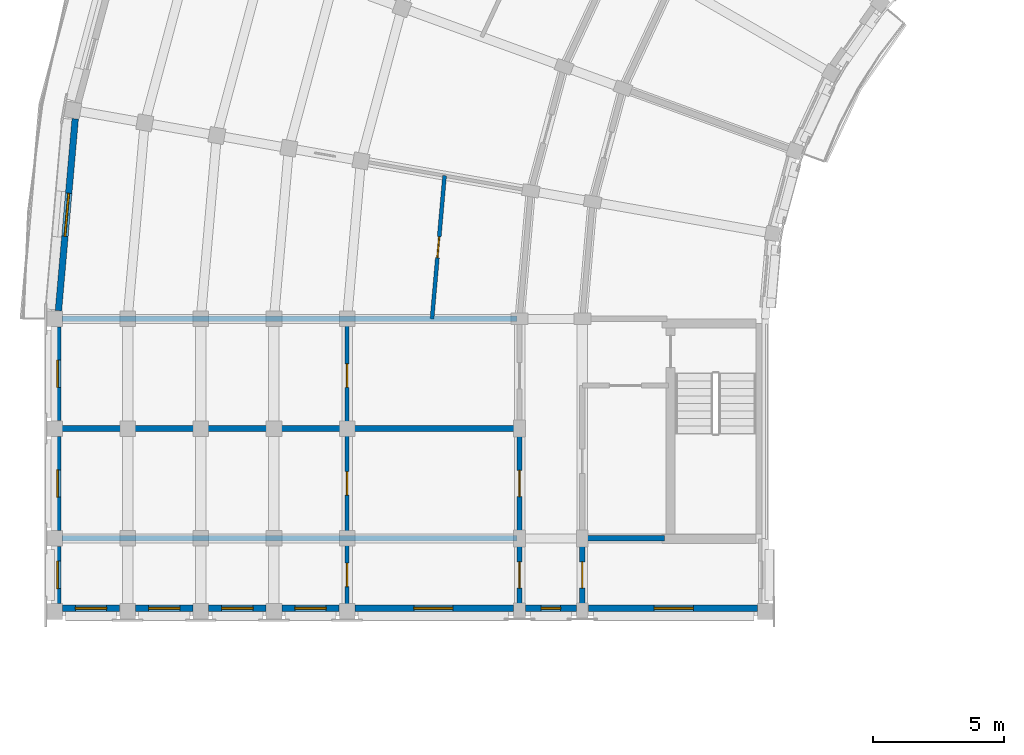
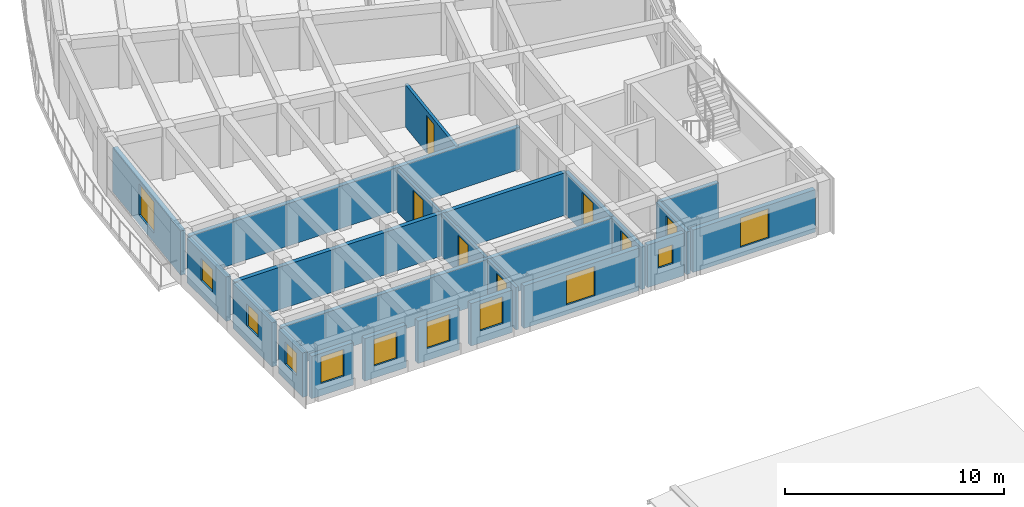
# One storey, part 15 of 41: 22 walls, 11 windows, 7 doors, 18 openings.
"""IFC4 building model written with IfcOpenShell, lengths in metres."""

from ifc_helpers import new_model, si_unit, direction, frame, frame_2d, origin, place, context, subcontext, project, spatial, rectangle, extrude, material, layer, layer_set, type_object, element, fill, save


model = new_model("IFC4")

# Units and contexts
model_context = context("Model", 3, precision=1e-05, world=origin(), true_north=direction((0.0, 1.0)))
body_context = subcontext(model_context, "Body", "Model", "MODEL_VIEW")
ifc_project = project(units=[si_unit("LENGTHUNIT", "METRE"), si_unit("AREAUNIT", "SQUARE_METRE"), si_unit("VOLUMEUNIT", "CUBIC_METRE"), si_unit("PLANEANGLEUNIT", "RADIAN"), si_unit("MASSUNIT", "GRAM", prefix="KILO")], contexts=[model_context])

# Site, building, storey
site_placement = place(None, origin())
site = spatial("IfcSite", under=ifc_project, at=site_placement, CompositionType="ELEMENT")
building_placement = place(site_placement, origin())
building = spatial("IfcBuilding", under=site, at=building_placement, Name="Kiranvali Square Residences", CompositionType="ELEMENT")
storey_placement = place(building_placement, frame((0.0, 0.0, 33.89990234375)))
storey = spatial("IfcBuildingStorey", under=building, at=storey_placement, Name="L10", CompositionType="ELEMENT", Elevation=33.89990234375)

# Wall, opening, door
ifc_material_1 = material(Name="Autoclaved aerated concrete blockwork masonry", Category="masonry")
ifc_layer_1 = layer(ifc_material_1, 0.199951171875)
ifc_layer_set_1 = layer_set([ifc_layer_1], Name="Autoclaved aerated concrete blockwork masonry")
wall_type_1 = type_object("IfcWallType", Name="WL-COR-200", PredefinedType="STANDARD", material=ifc_layer_set_1)
wall_1_placement = place(storey_placement, frame((20.0, 83.60009765625, 0.0), z_axis=(0.0, 0.0, 1.0), x_axis=(0.0, -1.0, 0.0)))
wall_1 = element("IfcWall", 1, at=wall_1_placement, inside=storey, type_object=wall_type_1, Name="L10 architectural wall WL-L10-A-A2CF-C1", PredefinedType="STANDARD", context=body_context, shape_type="SweptSolid", body=[
    extrude(rectangle(XDim=4.2001953125, YDim=0.199951171875, at=frame_2d((2.10009765625, 0.0))), origin(), (0.0, 0.0, 1.0), 2.3720703125),
])
opening_1_placement = place(wall_1_placement, frame((1.60009765625, 0.0, 0.0)))
opening_1 = element("IfcOpeningElement", 2, at=opening_1_placement, cuts=wall_1, Name="Opening FD-APT-60", PredefinedType="OPENING", context=body_context, shape_type="SweptSolid", body=[
    extrude(rectangle(XDim=1.0, YDim=2.14990234375, at=frame_2d((0.5, 1.074951171875))), frame((0.0, 0.10986328125, 0.0), z_axis=(0.0, -1.0, 0.0), x_axis=(1.0, 0.0, 0.0)), (0.0, 0.0, 1.0), 0.219970703125),
])
ifc_material_2 = material(Name="Fire-rated acoustic hardwood and mineral-core door assembly", Category="wood")
door_type_1 = type_object("IfcDoorType", Name="DR-APT-1000", OperationType="NOTDEFINED", PredefinedType="DOOR", material=ifc_material_2)
door_1_placement = place(opening_1_placement, origin())
door_1 = element("IfcDoor", 3, at=door_1_placement, inside=storey, type_object=door_type_1, Name="L10 door DR-L10-0673 (DR-APT-1000)", OperationType="SINGLE_SWING_LEFT", OverallHeight=2.14990234375, OverallWidth=1.0, PredefinedType="DOOR", context=body_context, shape_type="SweptSolid", body=[
    extrude(rectangle(XDim=1.0, YDim=2.14990234375, at=frame_2d((0.5, 1.074951171875))), frame((0.0, 0.02490234375, 0.0), z_axis=(0.0, -1.0, 0.0), x_axis=(1.0, 0.0, 0.0)), (0.0, 0.0, 1.0), 0.050048828125),
])
fill(opening_1, door_1)

wall_2_placement = place(storey_placement, frame((22.39990234375, 79.39990234375, 0.0), z_axis=(0.0, 0.0, 1.0), x_axis=(0.0, -1.0, 0.0)))
wall_2 = element("IfcWall", 4, at=wall_2_placement, inside=storey, type_object=wall_type_1, Name="L10 architectural wall WL-L10-A-A2CI-0", PredefinedType="STANDARD", context=body_context, shape_type="SweptSolid", body=[
    extrude(rectangle(XDim=2.7998046875, YDim=0.199951171875, at=frame_2d((1.39990234375, 0.0))), origin(), (0.0, 0.0, 1.0), 2.3720703125),
])
opening_2_placement = place(wall_2_placement, frame((0.89990234375, 0.0, 0.0)))
opening_2 = element("IfcOpeningElement", 5, at=opening_2_placement, cuts=wall_2, Name="Opening FD-APT-60", PredefinedType="OPENING", context=body_context, shape_type="SweptSolid", body=[
    extrude(rectangle(XDim=1.0, YDim=2.14990234375, at=frame_2d((0.5, 1.074951171875))), frame((0.0, 0.10986328125, 0.0), z_axis=(0.0, -1.0, 0.0), x_axis=(1.0, 0.0, 0.0)), (0.0, 0.0, 1.0), 0.219970703125),
])
door_2_placement = place(opening_2_placement, origin())
door_2 = element("IfcDoor", 6, at=door_2_placement, inside=storey, type_object=door_type_1, Name="L10 door DR-L10-0675 (DR-APT-1000)", OperationType="SINGLE_SWING_LEFT", OverallHeight=2.14990234375, OverallWidth=1.0, PredefinedType="DOOR", context=body_context, shape_type="SweptSolid", body=[
    extrude(rectangle(XDim=1.0, YDim=2.14990234375, at=frame_2d((0.5, 1.074951171875))), frame((0.0, 0.02490234375, 0.0), z_axis=(0.0, -1.0, 0.0), x_axis=(1.0, 0.0, 0.0)), (0.0, 0.0, 1.0), 0.050048828125),
])
fill(opening_2, door_2)

wall_3_placement = place(storey_placement, frame((20.0, 79.39990234375, 0.0), z_axis=(0.0, 0.0, 1.0), x_axis=(0.0, -1.0, 0.0)))
wall_3 = element("IfcWall", 7, at=wall_3_placement, inside=storey, type_object=wall_type_1, Name="L10 architectural wall WL-L10-A-A2CO-0", PredefinedType="STANDARD", context=body_context, shape_type="SweptSolid", body=[
    extrude(rectangle(XDim=2.7998046875, YDim=0.199951171875, at=frame_2d((1.39990234375, 0.0))), origin(), (0.0, 0.0, 1.0), 2.3720703125),
])
opening_3_placement = place(wall_3_placement, frame((0.89990234375, 0.0, 0.0)))
opening_3 = element("IfcOpeningElement", 8, at=opening_3_placement, cuts=wall_3, Name="Opening FD-APT-60", PredefinedType="OPENING", context=body_context, shape_type="SweptSolid", body=[
    extrude(rectangle(XDim=1.0, YDim=2.14990234375, at=frame_2d((0.5, 1.074951171875))), frame((0.0, 0.10986328125, 0.0), z_axis=(0.0, -1.0, 0.0), x_axis=(1.0, 0.0, 0.0)), (0.0, 0.0, 1.0), 0.219970703125),
])
door_3_placement = place(opening_3_placement, origin())
door_3 = element("IfcDoor", 9, at=door_3_placement, inside=storey, type_object=door_type_1, Name="L10 door DR-L10-0677 (DR-APT-1000)", OperationType="SINGLE_SWING_LEFT", OverallHeight=2.14990234375, OverallWidth=1.0, PredefinedType="DOOR", context=body_context, shape_type="SweptSolid", body=[
    extrude(rectangle(XDim=1.0, YDim=2.14990234375, at=frame_2d((0.5, 1.074951171875))), frame((0.0, 0.02490234375, 0.0), z_axis=(0.0, -1.0, 0.0), x_axis=(1.0, 0.0, 0.0)), (0.0, 0.0, 1.0), 0.050048828125),
])
fill(opening_3, door_3)

# Walls
ifc_layer_2 = layer(ifc_material_1, 0.219970703125)
ifc_layer_set_2 = layer_set([ifc_layer_2], Name="Autoclaved aerated concrete blockwork masonry")
wall_type_2 = type_object("IfcWallType", Name="WL-DEM-220", PredefinedType="STANDARD", material=ifc_layer_set_2)
wall_4_placement = place(storey_placement, frame((19.89990234375, 87.800048828125, 0.0), z_axis=(0.0, 0.0, 1.0), x_axis=(-1.0, 0.0, 0.0)))
element("IfcWall", 10, at=wall_4_placement, inside=storey, type_object=wall_type_2, Name="L10 architectural wall WL-L10-A-RADO-9", PredefinedType="STANDARD", context=body_context, shape_type="SweptSolid", body=[
    extrude(rectangle(XDim=17.419921875, YDim=0.219970703125, at=frame_2d((8.7099609375, 0.0))), origin(), (0.0, 0.0, 1.0), 2.3720703125),
])
wall_5_placement = place(storey_placement, frame((19.949951171875, 83.60009765625, 0.0), z_axis=(0.0, 0.0, 1.0), x_axis=(-1.0, 0.0, 0.0)))
element("IfcWall", 11, at=wall_5_placement, inside=storey, type_object=wall_type_2, Name="L10 architectural wall WL-L10-A-A2CF-MID", PredefinedType="STANDARD", context=body_context, shape_type="SweptSolid", body=[
    extrude(rectangle(XDim=17.530029296875, YDim=0.219970703125, at=frame_2d((8.76513671875, 0.0))), origin(), (0.0, 0.0, 1.0), 2.3720703125),
])
wall_6_placement = place(storey_placement, frame((25.550048828125, 79.39990234375, 0.0), z_axis=(0.0, 0.0, 1.0), x_axis=(-1.0, 0.0, 0.0)))
element("IfcWall", 12, at=wall_6_placement, inside=storey, type_object=wall_type_2, Name="L10 architectural wall WL-L10-A-A2TI-0", PredefinedType="STANDARD", context=body_context, shape_type="SweptSolid", body=[
    extrude(rectangle(XDim=3.10009765625, YDim=0.219970703125, at=frame_2d((1.550048828125, 0.0))), origin(), (0.0, 0.0, 1.0), 2.3720703125),
])
wall_7_placement = place(storey_placement, frame((19.89990234375, 79.39990234375, 0.0), z_axis=(0.0, 0.0, 1.0), x_axis=(-1.0, 0.0, 0.0)))
element("IfcWall", 13, at=wall_7_placement, inside=storey, type_object=wall_type_2, Name="L10 architectural wall WL-L10-A-A2TO-0", PredefinedType="STANDARD", context=body_context, shape_type="SweptSolid", body=[
    extrude(rectangle(XDim=17.419921875, YDim=0.219970703125, at=frame_2d((8.7099609375, 0.0))), origin(), (0.0, 0.0, 1.0), 2.3720703125),
])

# Wall, opening, window
ifc_material_3 = material(Name="Breathable lime-rendered clay brick masonry", Category="masonry")
ifc_layer_3 = layer(ifc_material_3, 0.25)
ifc_layer_set_3 = layer_set([ifc_layer_3], Name="Breathable lime-rendered clay brick masonry")
wall_type_3 = type_object("IfcWallType", Name="WL-EXT-250", PredefinedType="STANDARD", material=ifc_layer_set_3)
wall_8_placement = place(storey_placement, frame((2.994873046875, 95.45263671875, 0.0), z_axis=(0.0, 0.0, 1.0), x_axis=(-0.087122963287, -0.996197565379, 0.0)))
wall_8 = element("IfcWall", 14, at=wall_8_placement, inside=storey, type_object=wall_type_3, Name="L10 exterior wall A-L10-CRV-08", PredefinedType="STANDARD", context=body_context, shape_type="SweptSolid", body=[
    extrude(rectangle(XDim=7.3671875, YDim=0.25, at=frame_2d((3.68359375, 0.0))), origin(), (0.0, 0.0, 1.0), 2.47216796875),
])
opening_4_placement = place(wall_8_placement, frame((2.8583984375, 0.0, 0.52197265625)))
opening_4 = element("IfcOpeningElement", 15, at=opening_4_placement, cuts=wall_8, Name="Opening W-13", PredefinedType="OPENING", context=body_context, shape_type="SweptSolid", body=[
    extrude(rectangle(XDim=1.64990234375, YDim=1.75, at=frame_2d((0.824951171875, 0.875))), frame((0.0, 0.135009765625, 0.0), z_axis=(0.0, -1.0, 0.0), x_axis=(1.0, 0.0, 0.0)), (0.0, 0.0, 1.0), 0.27001953125),
])
ifc_material_4 = material(Name="Solar-control low-e double glazing", Category="glass")
window_type_1 = type_object("IfcWindowType", Name="WIN-RES-1650x1750", PartitioningType="DOUBLE_PANEL_VERTICAL", PredefinedType="WINDOW", material=ifc_material_4)
window_1_placement = place(opening_4_placement, origin())
window_1 = element("IfcWindow", 16, at=window_1_placement, inside=storey, type_object=window_type_1, Name="L10 recessed window A-L10-CRV-08", OverallHeight=1.75, OverallWidth=1.64990234375, PartitioningType="DOUBLE_PANEL_VERTICAL", PredefinedType="WINDOW", context=body_context, shape_type="SweptSolid", body=[
    extrude(rectangle(XDim=1.64990234375, YDim=1.75, at=frame_2d((0.824951171875, 0.875))), frame((0.0, 0.030029296875, 0.0), z_axis=(0.0, -1.0, 0.0), x_axis=(1.0, 0.0, 0.0)), (0.0, 0.0, 1.0), 0.06005859375),
])
fill(opening_4, window_1)

wall_9_placement = place(storey_placement, frame((2.324951171875, 87.49658203125, 0.0), z_axis=(0.0, 0.0, 1.0), x_axis=(0.0, -1.0, 0.0)))
wall_9 = element("IfcWall", 17, at=wall_9_placement, inside=storey, type_object=wall_type_3, Name="L10 exterior wall A-L10-A2O-0", PredefinedType="STANDARD", context=body_context, shape_type="SweptSolid", body=[
    extrude(rectangle(XDim=3.593017578125, YDim=0.25, at=frame_2d((1.79638671875, 0.0))), origin(), (0.0, 0.0, 1.0), 2.47216796875),
])
opening_5_placement = place(wall_9_placement, frame((1.271484375, 0.0, 0.8798828125)))
opening_5 = element("IfcOpeningElement", 18, at=opening_5_placement, cuts=wall_9, Name="Opening W-24", PredefinedType="OPENING", context=body_context, shape_type="SweptSolid", body=[
    extrude(rectangle(XDim=1.050048828125, YDim=1.25, at=frame_2d((0.52490234375, 0.625))), frame((0.0, 0.135009765625, 0.0), z_axis=(0.0, -1.0, 0.0), x_axis=(1.0, 0.0, 0.0)), (0.0, 0.0, 1.0), 0.27001953125),
])
window_type_2 = type_object("IfcWindowType", Name="WIN-COR-1050x1250", PartitioningType="SINGLE_PANEL", PredefinedType="WINDOW", material=ifc_material_4)
window_2_placement = place(opening_5_placement, origin())
window_2 = element("IfcWindow", 19, at=window_2_placement, inside=storey, type_object=window_type_2, Name="L10 recessed window A-L10-A2O-0", OverallHeight=1.25, OverallWidth=1.050048828125, PartitioningType="SINGLE_PANEL", PredefinedType="WINDOW", context=body_context, shape_type="SweptSolid", body=[
    extrude(rectangle(XDim=1.050048828125, YDim=1.25, at=frame_2d((0.52490234375, 0.625))), frame((0.0, 0.030029296875, 0.0), z_axis=(0.0, -1.0, 0.0), x_axis=(1.0, 0.0, 0.0)), (0.0, 0.0, 1.0), 0.06005859375),
])
fill(opening_5, window_2)

wall_10_placement = place(storey_placement, frame((2.324951171875, 83.29638671875, 0.0), z_axis=(0.0, 0.0, 1.0), x_axis=(0.0, -1.0, 0.0)))
wall_10 = element("IfcWall", 20, at=wall_10_placement, inside=storey, type_object=wall_type_3, Name="L10 exterior wall A-L10-A2O-1", PredefinedType="STANDARD", context=body_context, shape_type="SweptSolid", body=[
    extrude(rectangle(XDim=3.5927734375, YDim=0.25, at=frame_2d((1.79638671875, 0.0))), origin(), (0.0, 0.0, 1.0), 2.47216796875),
])
opening_6_placement = place(wall_10_placement, frame((1.271484375, 0.0, 0.8798828125)))
opening_6 = element("IfcOpeningElement", 21, at=opening_6_placement, cuts=wall_10, Name="Opening W-24", PredefinedType="OPENING", context=body_context, shape_type="SweptSolid", body=[
    extrude(rectangle(XDim=1.050048828125, YDim=1.25, at=frame_2d((0.52490234375, 0.625))), frame((0.0, 0.135009765625, 0.0), z_axis=(0.0, -1.0, 0.0), x_axis=(1.0, 0.0, 0.0)), (0.0, 0.0, 1.0), 0.27001953125),
])
window_3_placement = place(opening_6_placement, origin())
window_3 = element("IfcWindow", 22, at=window_3_placement, inside=storey, type_object=window_type_2, Name="L10 recessed window A-L10-A2O-1", OverallHeight=1.25, OverallWidth=1.050048828125, PartitioningType="SINGLE_PANEL", PredefinedType="WINDOW", context=body_context, shape_type="SweptSolid", body=[
    extrude(rectangle(XDim=1.050048828125, YDim=1.25, at=frame_2d((0.52490234375, 0.625))), frame((0.0, 0.030029296875, 0.0), z_axis=(0.0, -1.0, 0.0), x_axis=(1.0, 0.0, 0.0)), (0.0, 0.0, 1.0), 0.06005859375),
])
fill(opening_6, window_3)

wall_11_placement = place(storey_placement, frame((2.324951171875, 79.096435546875, 0.0), z_axis=(0.0, 0.0, 1.0), x_axis=(0.0, -1.0, 0.0)))
wall_11 = element("IfcWall", 23, at=wall_11_placement, inside=storey, type_object=wall_type_3, Name="L10 exterior wall A-L10-A2O-2", PredefinedType="STANDARD", context=body_context, shape_type="SweptSolid", body=[
    extrude(rectangle(XDim=2.19287109375, YDim=0.25, at=frame_2d((1.096435546875, 0.0))), origin(), (0.0, 0.0, 1.0), 2.47216796875),
])
opening_7_placement = place(wall_11_placement, frame((0.571533203125, 0.0, 0.8798828125)))
opening_7 = element("IfcOpeningElement", 24, at=opening_7_placement, cuts=wall_11, Name="Opening W-24", PredefinedType="OPENING", context=body_context, shape_type="SweptSolid", body=[
    extrude(rectangle(XDim=1.050048828125, YDim=1.25, at=frame_2d((0.52490234375, 0.625))), frame((0.0, 0.135009765625, 0.0), z_axis=(0.0, -1.0, 0.0), x_axis=(1.0, 0.0, 0.0)), (0.0, 0.0, 1.0), 0.27001953125),
])
window_4_placement = place(opening_7_placement, origin())
window_4 = element("IfcWindow", 25, at=window_4_placement, inside=storey, type_object=window_type_2, Name="L10 recessed window A-L10-A2O-2", OverallHeight=1.25, OverallWidth=1.050048828125, PartitioningType="SINGLE_PANEL", PredefinedType="WINDOW", context=body_context, shape_type="SweptSolid", body=[
    extrude(rectangle(XDim=1.050048828125, YDim=1.25, at=frame_2d((0.52490234375, 0.625))), frame((0.0, 0.030029296875, 0.0), z_axis=(0.0, -1.0, 0.0), x_axis=(1.0, 0.0, 0.0)), (0.0, 0.0, 1.0), 0.06005859375),
])
fill(opening_7, window_4)

wall_12_placement = place(storey_placement, frame((29.096435546875, 76.72509765625, 0.0), z_axis=(0.0, 0.0, 1.0), x_axis=(-1.0, 0.0, 0.0)))
wall_12 = element("IfcWall", 26, at=wall_12_placement, inside=storey, type_object=wall_type_3, Name="L10 exterior wall A-L10-A2END-0", PredefinedType="STANDARD", context=body_context, shape_type="SweptSolid", body=[
    extrude(rectangle(XDim=6.468017578125, YDim=0.25, at=frame_2d((3.23388671875, 0.0))), origin(), (0.0, 0.0, 1.0), 2.3720703125),
])
opening_8_placement = place(wall_12_placement, frame((2.446533203125, 0.0, 0.52197265625)))
opening_8 = element("IfcOpeningElement", 27, at=opening_8_placement, cuts=wall_12, Name="Opening W-05", PredefinedType="OPENING", context=body_context, shape_type="SweptSolid", body=[
    extrude(rectangle(XDim=1.5, YDim=1.64990234375, at=frame_2d((0.75, 0.824951171875))), frame((0.0, 0.135009765625, 0.0), z_axis=(0.0, -1.0, 0.0), x_axis=(1.0, 0.0, 0.0)), (0.0, 0.0, 1.0), 0.27001953125),
])
window_type_3 = type_object("IfcWindowType", Name="WIN-RES-1500x1650", PartitioningType="DOUBLE_PANEL_VERTICAL", PredefinedType="WINDOW", material=ifc_material_4)
window_5_placement = place(opening_8_placement, origin())
window_5 = element("IfcWindow", 28, at=window_5_placement, inside=storey, type_object=window_type_3, Name="L10 recessed window A-L10-A2END-0", OverallHeight=1.64990234375, OverallWidth=1.5, PartitioningType="DOUBLE_PANEL_VERTICAL", PredefinedType="WINDOW", context=body_context, shape_type="SweptSolid", body=[
    extrude(rectangle(XDim=1.5, YDim=1.64990234375, at=frame_2d((0.75, 0.824951171875))), frame((0.0, 0.030029296875, 0.0), z_axis=(0.0, -1.0, 0.0), x_axis=(1.0, 0.0, 0.0)), (0.0, 0.0, 1.0), 0.06005859375),
])
fill(opening_8, window_5)

wall_13_placement = place(storey_placement, frame((22.17138671875, 76.72509765625, 0.0), z_axis=(0.0, 0.0, 1.0), x_axis=(-1.0, 0.0, 0.0)))
wall_13 = element("IfcWall", 29, at=wall_13_placement, inside=storey, type_object=wall_type_3, Name="L10 exterior wall A-L10-A2END-1", PredefinedType="STANDARD", context=body_context, shape_type="SweptSolid", body=[
    extrude(rectangle(XDim=1.94287109375, YDim=0.25, at=frame_2d((0.971435546875, 0.0))), origin(), (0.0, 0.0, 1.0), 2.3720703125),
])
opening_9_placement = place(wall_13_placement, frame((0.596435546875, 0.0, 0.8798828125)))
opening_9 = element("IfcOpeningElement", 30, at=opening_9_placement, cuts=wall_13, Name="Opening W-07", PredefinedType="OPENING", context=body_context, shape_type="SweptSolid", body=[
    extrude(rectangle(XDim=0.75, YDim=1.050048828125, at=frame_2d((0.375, 0.52490234375))), frame((0.0, 0.135009765625, 0.0), z_axis=(0.0, -1.0, 0.0), x_axis=(1.0, 0.0, 0.0)), (0.0, 0.0, 1.0), 0.27001953125),
])
window_type_4 = type_object("IfcWindowType", Name="WIN-WET-750x1050", PartitioningType="SINGLE_PANEL", PredefinedType="WINDOW", material=ifc_material_4)
window_6_placement = place(opening_9_placement, origin())
window_6 = element("IfcWindow", 31, at=window_6_placement, inside=storey, type_object=window_type_4, Name="L10 recessed window A-L10-A2END-1", OverallHeight=1.050048828125, OverallWidth=0.75, PartitioningType="SINGLE_PANEL", PredefinedType="WINDOW", context=body_context, shape_type="SweptSolid", body=[
    extrude(rectangle(XDim=0.75, YDim=1.050048828125, at=frame_2d((0.375, 0.52490234375))), frame((0.0, 0.030029296875, 0.0), z_axis=(0.0, -1.0, 0.0), x_axis=(1.0, 0.0, 0.0)), (0.0, 0.0, 1.0), 0.06005859375),
])
fill(opening_9, window_6)

wall_14_placement = place(storey_placement, frame((19.771484375, 76.72509765625, 0.0), z_axis=(0.0, 0.0, 1.0), x_axis=(-1.0, 0.0, 0.0)))
wall_14 = element("IfcWall", 32, at=wall_14_placement, inside=storey, type_object=wall_type_3, Name="L10 exterior wall A-L10-A2END-2", PredefinedType="STANDARD", context=body_context, shape_type="SweptSolid", body=[
    extrude(rectangle(XDim=6.06787109375, YDim=0.25, at=frame_2d((3.033935546875, 0.0))), origin(), (0.0, 0.0, 1.0), 2.3720703125),
])
opening_10_placement = place(wall_14_placement, frame((2.321533203125, 0.0, 0.52197265625)))
opening_10 = element("IfcOpeningElement", 33, at=opening_10_placement, cuts=wall_14, Name="Opening W-05", PredefinedType="OPENING", context=body_context, shape_type="SweptSolid", body=[
    extrude(rectangle(XDim=1.5, YDim=1.64990234375, at=frame_2d((0.75, 0.824951171875))), frame((0.0, 0.135009765625, 0.0), z_axis=(0.0, -1.0, 0.0), x_axis=(1.0, 0.0, 0.0)), (0.0, 0.0, 1.0), 0.27001953125),
])
window_7_placement = place(opening_10_placement, origin())
window_7 = element("IfcWindow", 34, at=window_7_placement, inside=storey, type_object=window_type_3, Name="L10 recessed window A-L10-A2END-2", OverallHeight=1.64990234375, OverallWidth=1.5, PartitioningType="DOUBLE_PANEL_VERTICAL", PredefinedType="WINDOW", context=body_context, shape_type="SweptSolid", body=[
    extrude(rectangle(XDim=1.5, YDim=1.64990234375, at=frame_2d((0.75, 0.824951171875))), frame((0.0, 0.030029296875, 0.0), z_axis=(0.0, -1.0, 0.0), x_axis=(1.0, 0.0, 0.0)), (0.0, 0.0, 1.0), 0.06005859375),
])
fill(opening_10, window_7)

wall_15_placement = place(storey_placement, frame((13.096435546875, 76.72509765625, 0.0), z_axis=(0.0, 0.0, 1.0), x_axis=(-1.0, 0.0, 0.0)))
wall_15 = element("IfcWall", 35, at=wall_15_placement, inside=storey, type_object=wall_type_3, Name="L10 exterior wall A-L10-A2END-3", PredefinedType="STANDARD", context=body_context, shape_type="SweptSolid", body=[
    extrude(rectangle(XDim=2.19287109375, YDim=0.25, at=frame_2d((1.096435546875, 0.0))), origin(), (0.0, 0.0, 1.0), 2.3720703125),
])
opening_11_placement = place(wall_15_placement, frame((0.49658203125, 0.0, 0.672119140625)))
opening_11 = element("IfcOpeningElement", 36, at=opening_11_placement, cuts=wall_15, Name="Opening W-06", PredefinedType="OPENING", context=body_context, shape_type="SweptSolid", body=[
    extrude(rectangle(XDim=1.199951171875, YDim=1.5, at=frame_2d((0.60009765625, 0.75))), frame((0.0, 0.135009765625, 0.0), z_axis=(0.0, -1.0, 0.0), x_axis=(1.0, 0.0, 0.0)), (0.0, 0.0, 1.0), 0.27001953125),
])
window_type_5 = type_object("IfcWindowType", Name="WIN-RES-1200x1500", PartitioningType="SINGLE_PANEL", PredefinedType="WINDOW", material=ifc_material_4)
window_8_placement = place(opening_11_placement, origin())
window_8 = element("IfcWindow", 37, at=window_8_placement, inside=storey, type_object=window_type_5, Name="L10 recessed window A-L10-A2END-3", OverallHeight=1.5, OverallWidth=1.199951171875, PartitioningType="SINGLE_PANEL", PredefinedType="WINDOW", context=body_context, shape_type="SweptSolid", body=[
    extrude(rectangle(XDim=1.199951171875, YDim=1.5, at=frame_2d((0.60009765625, 0.75))), frame((0.0, 0.030029296875, 0.0), z_axis=(0.0, -1.0, 0.0), x_axis=(1.0, 0.0, 0.0)), (0.0, 0.0, 1.0), 0.06005859375),
])
fill(opening_11, window_8)

wall_16_placement = place(storey_placement, frame((10.29638671875, 76.72509765625, 0.0), z_axis=(0.0, 0.0, 1.0), x_axis=(-1.0, 0.0, 0.0)))
wall_16 = element("IfcWall", 38, at=wall_16_placement, inside=storey, type_object=wall_type_3, Name="L10 exterior wall A-L10-A2END-4", PredefinedType="STANDARD", context=body_context, shape_type="SweptSolid", body=[
    extrude(rectangle(XDim=2.19287109375, YDim=0.25, at=frame_2d((1.096435546875, 0.0))), origin(), (0.0, 0.0, 1.0), 2.3720703125),
])
opening_12_placement = place(wall_16_placement, frame((0.49658203125, 0.0, 0.672119140625)))
opening_12 = element("IfcOpeningElement", 39, at=opening_12_placement, cuts=wall_16, Name="Opening W-06", PredefinedType="OPENING", context=body_context, shape_type="SweptSolid", body=[
    extrude(rectangle(XDim=1.199951171875, YDim=1.5, at=frame_2d((0.60009765625, 0.75))), frame((0.0, 0.135009765625, 0.0), z_axis=(0.0, -1.0, 0.0), x_axis=(1.0, 0.0, 0.0)), (0.0, 0.0, 1.0), 0.27001953125),
])
window_9_placement = place(opening_12_placement, origin())
window_9 = element("IfcWindow", 40, at=window_9_placement, inside=storey, type_object=window_type_5, Name="L10 recessed window A-L10-A2END-4", OverallHeight=1.5, OverallWidth=1.199951171875, PartitioningType="SINGLE_PANEL", PredefinedType="WINDOW", context=body_context, shape_type="SweptSolid", body=[
    extrude(rectangle(XDim=1.199951171875, YDim=1.5, at=frame_2d((0.60009765625, 0.75))), frame((0.0, 0.030029296875, 0.0), z_axis=(0.0, -1.0, 0.0), x_axis=(1.0, 0.0, 0.0)), (0.0, 0.0, 1.0), 0.06005859375),
])
fill(opening_12, window_9)

wall_17_placement = place(storey_placement, frame((7.49658203125, 76.72509765625, 0.0), z_axis=(0.0, 0.0, 1.0), x_axis=(-1.0, 0.0, 0.0)))
wall_17 = element("IfcWall", 41, at=wall_17_placement, inside=storey, type_object=wall_type_3, Name="L10 exterior wall A-L10-A2END-5", PredefinedType="STANDARD", context=body_context, shape_type="SweptSolid", body=[
    extrude(rectangle(XDim=2.193115234375, YDim=0.25, at=frame_2d((1.0966796875, 0.0))), origin(), (0.0, 0.0, 1.0), 2.3720703125),
])
opening_13_placement = place(wall_17_placement, frame((0.49658203125, 0.0, 0.672119140625)))
opening_13 = element("IfcOpeningElement", 42, at=opening_13_placement, cuts=wall_17, Name="Opening W-06", PredefinedType="OPENING", context=body_context, shape_type="SweptSolid", body=[
    extrude(rectangle(XDim=1.199951171875, YDim=1.5, at=frame_2d((0.60009765625, 0.75))), frame((0.0, 0.135009765625, 0.0), z_axis=(0.0, -1.0, 0.0), x_axis=(1.0, 0.0, 0.0)), (0.0, 0.0, 1.0), 0.27001953125),
])
window_10_placement = place(opening_13_placement, origin())
window_10 = element("IfcWindow", 43, at=window_10_placement, inside=storey, type_object=window_type_5, Name="L10 recessed window A-L10-A2END-5", OverallHeight=1.5, OverallWidth=1.199951171875, PartitioningType="SINGLE_PANEL", PredefinedType="WINDOW", context=body_context, shape_type="SweptSolid", body=[
    extrude(rectangle(XDim=1.199951171875, YDim=1.5, at=frame_2d((0.60009765625, 0.75))), frame((0.0, 0.030029296875, 0.0), z_axis=(0.0, -1.0, 0.0), x_axis=(1.0, 0.0, 0.0)), (0.0, 0.0, 1.0), 0.06005859375),
])
fill(opening_13, window_10)

wall_18_placement = place(storey_placement, frame((4.696533203125, 76.72509765625, 0.0), z_axis=(0.0, 0.0, 1.0), x_axis=(-1.0, 0.0, 0.0)))
wall_18 = element("IfcWall", 44, at=wall_18_placement, inside=storey, type_object=wall_type_3, Name="L10 exterior wall A-L10-A2END-6", PredefinedType="STANDARD", context=body_context, shape_type="SweptSolid", body=[
    extrude(rectangle(XDim=2.193115234375, YDim=0.25, at=frame_2d((1.0966796875, 0.0))), origin(), (0.0, 0.0, 1.0), 2.3720703125),
])
opening_14_placement = place(wall_18_placement, frame((0.49658203125, 0.0, 0.672119140625)))
opening_14 = element("IfcOpeningElement", 45, at=opening_14_placement, cuts=wall_18, Name="Opening W-06", PredefinedType="OPENING", context=body_context, shape_type="SweptSolid", body=[
    extrude(rectangle(XDim=1.199951171875, YDim=1.5, at=frame_2d((0.60009765625, 0.75))), frame((0.0, 0.135009765625, 0.0), z_axis=(0.0, -1.0, 0.0), x_axis=(1.0, 0.0, 0.0)), (0.0, 0.0, 1.0), 0.27001953125),
])
window_11_placement = place(opening_14_placement, origin())
window_11 = element("IfcWindow", 46, at=window_11_placement, inside=storey, type_object=window_type_5, Name="L10 recessed window A-L10-A2END-6", OverallHeight=1.5, OverallWidth=1.199951171875, PartitioningType="SINGLE_PANEL", PredefinedType="WINDOW", context=body_context, shape_type="SweptSolid", body=[
    extrude(rectangle(XDim=1.199951171875, YDim=1.5, at=frame_2d((0.60009765625, 0.75))), frame((0.0, 0.030029296875, 0.0), z_axis=(0.0, -1.0, 0.0), x_axis=(1.0, 0.0, 0.0)), (0.0, 0.0, 1.0), 0.06005859375),
])
fill(opening_14, window_11)

# Wall, opening, door
ifc_material_5 = material(Name="Acoustic gypsum board drylined partition", Category="gypsum")
ifc_layer_4 = layer(ifc_material_5, 0.14990234375)
ifc_layer_set_4 = layer_set([ifc_layer_4], Name="Acoustic gypsum board drylined partition")
wall_type_4 = type_object("IfcWallType", Name="WL-PRT-150", PredefinedType="PARTITIONING", material=ifc_layer_set_4)
wall_19_placement = place(storey_placement, frame((13.39990234375, 87.570068359375, 0.0), z_axis=(0.0, 0.0, 1.0), x_axis=(0.0, -1.0, 0.0)))
wall_19 = element("IfcWall", 47, at=wall_19_placement, inside=storey, type_object=wall_type_4, Name="L10 architectural wall WL-L10-A-A2CF-SP0", PredefinedType="PARTITIONING", context=body_context, shape_type="SweptSolid", body=[
    extrude(rectangle(XDim=3.89013671875, YDim=0.14990234375, at=frame_2d((1.945068359375, 0.0))), origin(), (0.0, 0.0, 1.0), 2.3720703125),
])
opening_15_placement = place(wall_19_placement, frame((1.4951171875, 0.0, 0.0)))
opening_15 = element("IfcOpeningElement", 48, at=opening_15_placement, cuts=wall_19, Name="Opening ID-1", PredefinedType="OPENING", context=body_context, shape_type="SweptSolid", body=[
    extrude(rectangle(XDim=0.89990234375, YDim=2.10009765625, at=frame_2d((0.449951171875, 1.050048828125))), frame((0.0, 0.0849609375, 0.0), z_axis=(0.0, -1.0, 0.0), x_axis=(1.0, 0.0, 0.0)), (0.0, 0.0, 1.0), 0.169921875),
])
ifc_material_6 = material(Name="Solid seasoned teak hardwood joinery", Category="wood")
door_type_2 = type_object("IfcDoorType", Name="DR-INT-900", OperationType="NOTDEFINED", PredefinedType="DOOR", material=ifc_material_6)
door_4_placement = place(opening_15_placement, frame((0.89990234375, 0.0, 0.0), z_axis=(0.0, 0.0, 1.0), x_axis=(-1.0, 0.0, 0.0)))
door_4 = element("IfcDoor", 49, at=door_4_placement, inside=storey, type_object=door_type_2, Name="L10 door DR-L10-0672 (DR-INT-900)", OperationType="SINGLE_SWING_RIGHT", OverallHeight=2.10009765625, OverallWidth=0.89990234375, PredefinedType="DOOR", context=body_context, shape_type="SweptSolid", body=[
    extrude(rectangle(XDim=0.89990234375, YDim=2.10009765625, at=frame_2d((0.449951171875, 1.050048828125))), frame((0.0, 0.02490234375, 0.0), z_axis=(0.0, -1.0, 0.0), x_axis=(1.0, 0.0, 0.0)), (0.0, 0.0, 1.0), 0.050048828125),
])
fill(opening_15, door_4)

wall_20_placement = place(storey_placement, frame((13.39990234375, 83.52001953125, 0.0), z_axis=(0.0, 0.0, 1.0), x_axis=(0.0, -1.0, 0.0)))
wall_20 = element("IfcWall", 50, at=wall_20_placement, inside=storey, type_object=wall_type_4, Name="L10 architectural wall WL-L10-A-A2CF-SP1", PredefinedType="PARTITIONING", context=body_context, shape_type="SweptSolid", body=[
    extrude(rectangle(XDim=4.0400390625, YDim=0.14990234375, at=frame_2d((2.02001953125, 0.0))), origin(), (0.0, 0.0, 1.0), 2.3720703125),
])
opening_16_placement = place(wall_20_placement, frame((1.570068359375, 0.0, 0.0)))
opening_16 = element("IfcOpeningElement", 51, at=opening_16_placement, cuts=wall_20, Name="Opening ID-1", PredefinedType="OPENING", context=body_context, shape_type="SweptSolid", body=[
    extrude(rectangle(XDim=0.89990234375, YDim=2.10009765625, at=frame_2d((0.449951171875, 1.050048828125))), frame((0.0, 0.0849609375, 0.0), z_axis=(0.0, -1.0, 0.0), x_axis=(1.0, 0.0, 0.0)), (0.0, 0.0, 1.0), 0.169921875),
])
door_5_placement = place(opening_16_placement, frame((0.89990234375, 0.0, 0.0), z_axis=(0.0, 0.0, 1.0), x_axis=(-1.0, 0.0, 0.0)))
door_5 = element("IfcDoor", 52, at=door_5_placement, inside=storey, type_object=door_type_2, Name="L10 door DR-L10-0674 (DR-INT-900)", OperationType="SINGLE_SWING_RIGHT", OverallHeight=2.10009765625, OverallWidth=0.89990234375, PredefinedType="DOOR", context=body_context, shape_type="SweptSolid", body=[
    extrude(rectangle(XDim=0.89990234375, YDim=2.10009765625, at=frame_2d((0.449951171875, 1.050048828125))), frame((0.0, 0.02490234375, 0.0), z_axis=(0.0, -1.0, 0.0), x_axis=(1.0, 0.0, 0.0)), (0.0, 0.0, 1.0), 0.050048828125),
])
fill(opening_16, door_5)

ifc_layer_5 = layer(ifc_material_1, 0.14990234375)
ifc_layer_set_5 = layer_set([ifc_layer_5], Name="Autoclaved aerated concrete blockwork masonry")
wall_type_5 = type_object("IfcWallType", Name="WL-WET-150", PredefinedType="PLUMBINGWALL", material=ifc_layer_set_5)
wall_21_placement = place(storey_placement, frame((17.12939453125, 93.278564453125, 0.0), z_axis=(0.0, 0.0, 1.0), x_axis=(-0.087188978393, -0.996191789791, 0.0)))
wall_21 = element("IfcWall", 53, at=wall_21_placement, inside=storey, type_object=wall_type_5, Name="L10 architectural wall WL-L10-A-CWET-8", PredefinedType="PLUMBINGWALL", context=body_context, shape_type="SweptSolid", body=[
    extrude(rectangle(XDim=5.49951171875, YDim=0.14990234375, at=frame_2d((2.749755859375, 0.0))), origin(), (0.0, 0.0, 1.0), 2.3720703125),
])
opening_17_placement = place(wall_21_placement, frame((2.349853515625, 0.0, 0.0)))
opening_17 = element("IfcOpeningElement", 54, at=opening_17_placement, cuts=wall_21, Name="Opening ID-WET", PredefinedType="OPENING", context=body_context, shape_type="SweptSolid", body=[
    extrude(rectangle(XDim=0.800048828125, YDim=2.10009765625, at=frame_2d((0.39990234375, 1.050048828125))), frame((0.0, 0.0849609375, 0.0), z_axis=(0.0, -1.0, 0.0), x_axis=(1.0, 0.0, 0.0)), (0.0, 0.0, 1.0), 0.169921875),
])
door_type_3 = type_object("IfcDoorType", Name="DR-WET-800", OperationType="NOTDEFINED", PredefinedType="DOOR", material=ifc_material_6)
door_6_placement = place(opening_17_placement, frame((0.800048828125, 0.0, 0.0), z_axis=(0.0, 0.0, 1.0), x_axis=(-1.0, 0.0, 0.0)))
door_6 = element("IfcDoor", 55, at=door_6_placement, inside=storey, type_object=door_type_3, Name="L10 door DR-L10-0666 (DR-WET-800)", OperationType="SINGLE_SWING_RIGHT", OverallHeight=2.10009765625, OverallWidth=0.800048828125, PredefinedType="DOOR", context=body_context, shape_type="SweptSolid", body=[
    extrude(rectangle(XDim=0.800048828125, YDim=2.10009765625, at=frame_2d((0.39990234375, 1.050048828125))), frame((0.0, 0.02490234375, 0.0), z_axis=(0.0, -1.0, 0.0), x_axis=(1.0, 0.0, 0.0)), (0.0, 0.0, 1.0), 0.050048828125),
])
fill(opening_17, door_6)

wall_22_placement = place(storey_placement, frame((13.39990234375, 79.320068359375, 0.0), z_axis=(0.0, 0.0, 1.0), x_axis=(0.0, -1.0, 0.0)))
wall_22 = element("IfcWall", 56, at=wall_22_placement, inside=storey, type_object=wall_type_5, Name="L10 architectural wall WL-L10-A-A2SP-0", PredefinedType="PLUMBINGWALL", context=body_context, shape_type="SweptSolid", body=[
    extrude(rectangle(XDim=2.64013671875, YDim=0.14990234375, at=frame_2d((1.320068359375, 0.0))), origin(), (0.0, 0.0, 1.0), 2.3720703125),
])
opening_18_placement = place(wall_22_placement, frame((0.8701171875, 0.0, 0.0)))
opening_18 = element("IfcOpeningElement", 57, at=opening_18_placement, cuts=wall_22, Name="Opening ID-1", PredefinedType="OPENING", context=body_context, shape_type="SweptSolid", body=[
    extrude(rectangle(XDim=0.89990234375, YDim=2.10009765625, at=frame_2d((0.449951171875, 1.050048828125))), frame((0.0, 0.0849609375, 0.0), z_axis=(0.0, -1.0, 0.0), x_axis=(1.0, 0.0, 0.0)), (0.0, 0.0, 1.0), 0.169921875),
])
door_7_placement = place(opening_18_placement, frame((0.89990234375, 0.0, 0.0), z_axis=(0.0, 0.0, 1.0), x_axis=(-1.0, 0.0, 0.0)))
door_7 = element("IfcDoor", 58, at=door_7_placement, inside=storey, type_object=door_type_2, Name="L10 door DR-L10-0676 (DR-INT-900)", OperationType="SINGLE_SWING_RIGHT", OverallHeight=2.10009765625, OverallWidth=0.89990234375, PredefinedType="DOOR", context=body_context, shape_type="SweptSolid", body=[
    extrude(rectangle(XDim=0.89990234375, YDim=2.10009765625, at=frame_2d((0.449951171875, 1.050048828125))), frame((0.0, 0.02490234375, 0.0), z_axis=(0.0, -1.0, 0.0), x_axis=(1.0, 0.0, 0.0)), (0.0, 0.0, 1.0), 0.050048828125),
])
fill(opening_18, door_7)

save(model, "model.ifc")
